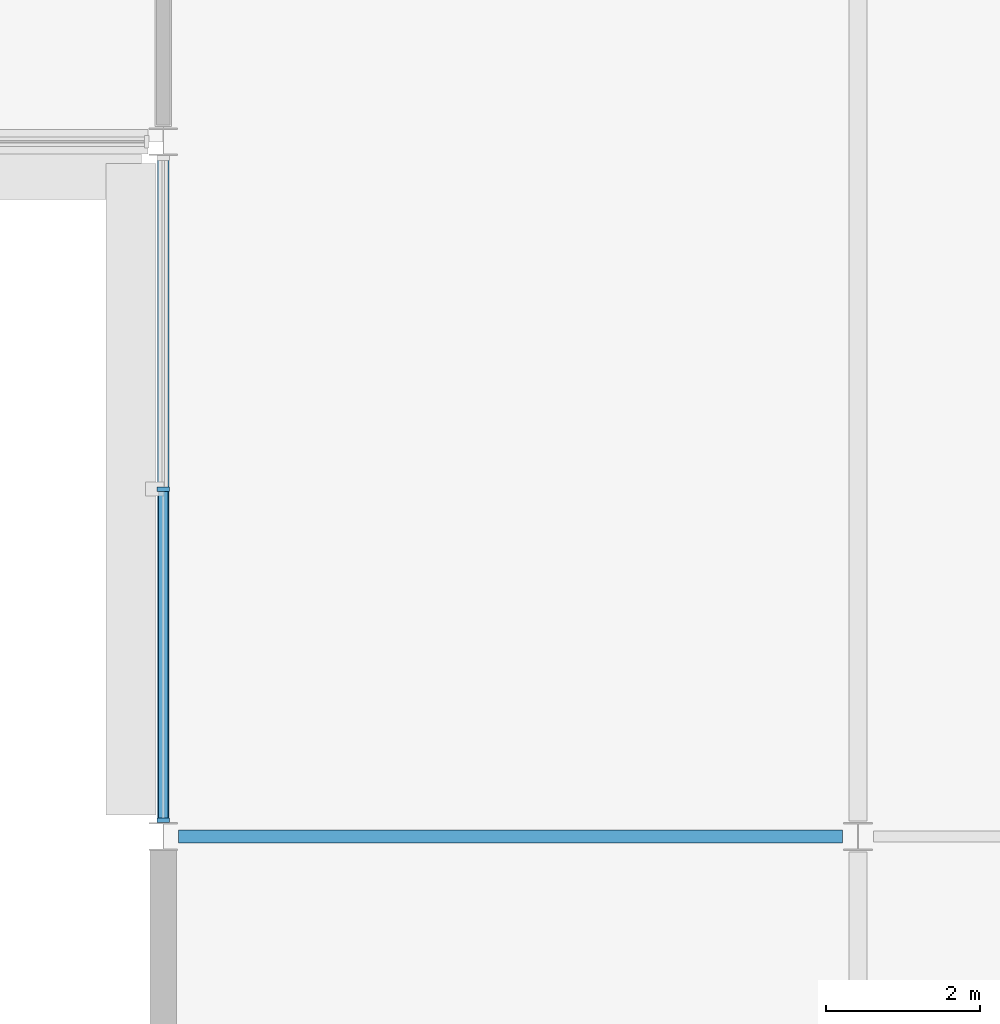
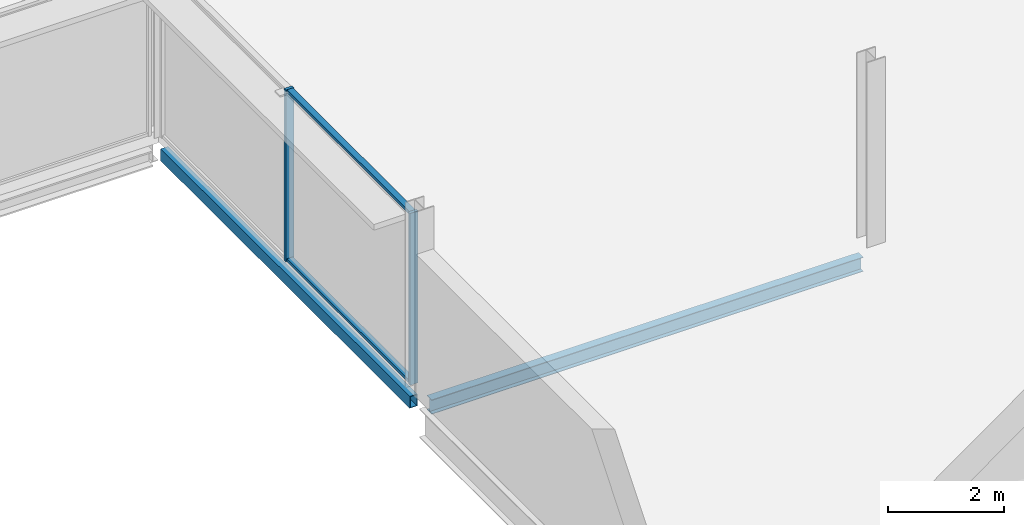
# One storey, part 47 of 98: 4 members, 2 beams, 1 element without a shape of its own.
"""IFC4 building model written with IfcOpenShell, lengths in metres."""

from ifc_helpers import new_model, si_unit, direction, frame, origin, origin_2d, place, context, subcontext, project, spatial, rectangle, hollow_rectangle, i_section, extrude, material, layer, layer_set, material_profile, profile_set, type_object, element, aggregate, save


model = new_model("IFC4")

# Units and contexts
model_context = context("Model", 3, precision=1e-05, world=origin(), true_north=direction((0.0, 1.0)))
body_context = subcontext(model_context, "Body", "Model", "MODEL_VIEW")
ifc_project = project(units=[si_unit("LENGTHUNIT", "METRE"), si_unit("AREAUNIT", "SQUARE_METRE"), si_unit("VOLUMEUNIT", "CUBIC_METRE"), si_unit("PLANEANGLEUNIT", "RADIAN"), si_unit("MASSUNIT", "GRAM", prefix="KILO")], contexts=[model_context])

# Site, building, storey
site_placement = place(None, origin())
site = spatial("IfcSite", under=ifc_project, at=site_placement, CompositionType="ELEMENT")
building_placement = place(site_placement, origin())
building = spatial("IfcBuilding", under=site, at=building_placement, Name="Kisiwana Market Hall", CompositionType="ELEMENT")
storey_placement = place(building_placement, frame((0.0, 0.0, 29.39990234375)))
storey = spatial("IfcBuildingStorey", under=building, at=storey_placement, Name="L06", CompositionType="ELEMENT", Elevation=29.39990234375)

# Beams
ifc_material_1 = material(Name="Steel S355", Category="steel")
ifc_material_profile_1 = material_profile(ifc_material_1, i_section(OverallWidth=0.1650390625, OverallDepth=0.303466796875, WebThickness=0.006103515625, FlangeThickness=0.01025390625, at=origin_2d()), Name="UB 305x165x40")
ifc_profile_set_1 = profile_set([ifc_material_profile_1], Name="Steel S355")
beam_type_1 = type_object("IfcBeamType", Name="BM-JOIST-UB040", PredefinedType="JOIST", material=ifc_profile_set_1)
beam_1_placement = place(storey_placement, frame((153.19921875, 84.0, -0.396484375), z_axis=(1.0, 0.0, 0.0), x_axis=(0.0, 1.0, 0.0)))
element("IfcBeam", 1, at=beam_1_placement, inside=storey, type_object=beam_type_1, Name="Floor beam B-1817", PredefinedType="JOIST", context=body_context, shape_type="SweptSolid", body=[
    extrude(i_section(OverallWidth=0.1650390625, OverallDepth=0.303466796875, WebThickness=0.006103515625, FlangeThickness=0.01025390625, at=origin_2d()), origin(), (0.0, 0.0, 1.0), 8.6015625),
])
ifc_material_2 = material(Name="Steel S355", Category="steel")
ifc_material_profile_2 = material_profile(ifc_material_2, hollow_rectangle(XDim=0.14990234375, YDim=0.25, WallThickness=0.010009765625, at=origin_2d()), Name="RHS 250x150x10.0")
ifc_profile_set_2 = profile_set([ifc_material_profile_2], Name="Steel S355")
beam_type_2 = type_object("IfcBeamType", Name="BM-SPAN-RHS250", PredefinedType="SPANDREL", material=ifc_profile_set_2)
beam_2_placement = place(storey_placement, frame((153.0, 84.19921875, -0.369873046875), z_axis=(0.0, 1.0, 0.0), x_axis=(-1.0, 0.0, 0.0)))
element("IfcBeam", 2, at=beam_2_placement, inside=storey, type_object=beam_type_2, Name="Floor beam B-1867", PredefinedType="SPANDREL", context=body_context, shape_type="SweptSolid", body=[
    extrude(hollow_rectangle(XDim=0.14990234375, YDim=0.25, WallThickness=0.010009765625, at=origin_2d()), origin(), (0.0, 0.0, 1.0), 8.6015625),
])

# Curtain wall, members
ifc_material_3 = material(Name="Double-glazed solar-control low-E IGU", Category="glass")
ifc_layer = layer(ifc_material_3, 0.159912109375)
ifc_layer_set = layer_set([ifc_layer], Name="CW-ZNA-EW-8200")
curtain_wall_type = type_object("IfcCurtainWallType", Name="CW-ZNA-EW-8200", PredefinedType="USERDEFINED", material=ifc_layer_set)
curtain_wall_placement = place(storey_placement, origin())
curtain_wall = element("IfcCurtainWall", 3, at=curtain_wall_placement, inside=storey, type_object=curtain_wall_type, Name="Unitised curtain wall CW-206 (L06)", ObjectType="UNITISED CURTAIN WALL", PredefinedType="USERDEFINED")
ifc_material_4 = material(Name="Aluminium alloy 6063-T6", Category="aluminium")
ifc_material_profile_3 = material_profile(ifc_material_4, rectangle(XDim=0.06005859375, YDim=0.159912109375, at=origin_2d()), Name="ALU MULLION 60x160")
ifc_profile_set_3 = profile_set([ifc_material_profile_3], Name="Aluminium alloy 6063-T6")
member_type_1 = type_object("IfcMemberType", Name="CW-MULL-60x160", PredefinedType="MULLION", material=ifc_profile_set_3)
member_1_placement = place(storey_placement, frame((153.0, 84.2109375, 0.0), z_axis=(0.0, 0.0, 1.0), x_axis=(0.0, 1.0, 0.0)))
member_1 = element("IfcMember", 4, at=member_1_placement, type_object=member_type_1, Name="CW-206 mullion 1", PredefinedType="MULLION", context=body_context, shape_type="SweptSolid", body=[
    extrude(rectangle(XDim=0.06005859375, YDim=0.159912109375, at=origin_2d()), origin(), (0.0, 0.0, 1.0), 3.6201171875),
])
member_2_placement = place(storey_placement, frame((153.0, 88.5, 0.0), z_axis=(0.0, 0.0, 1.0), x_axis=(0.0, 1.0, 0.0)))
member_2 = element("IfcMember", 5, at=member_2_placement, type_object=member_type_1, Name="CW-206 mullion 2", PredefinedType="MULLION", context=body_context, shape_type="SweptSolid", body=[
    extrude(rectangle(XDim=0.06005859375, YDim=0.159912109375, at=origin_2d()), origin(), (0.0, 0.0, 1.0), 3.6201171875),
])
ifc_material_5 = material(Name="Aluminium alloy 6063-T6", Category="aluminium")
ifc_material_profile_4 = material_profile(ifc_material_5, rectangle(XDim=0.1201171875, YDim=0.06005859375, at=origin_2d()), Name="ALU TRANSOM 60x120")
ifc_profile_set_4 = profile_set([ifc_material_profile_4], Name="Aluminium alloy 6063-T6")
member_type_2 = type_object("IfcMemberType", Name="CW-TRAN-60x120", PredefinedType="USERDEFINED", material=ifc_profile_set_4)
member_3_placement = place(storey_placement, frame((153.0, 84.240966796875, 0.030029296875), z_axis=(0.0, 1.0, 0.0), x_axis=(-1.0, 0.0, 0.0)))
member_3 = element("IfcMember", 6, at=member_3_placement, type_object=member_type_2, Name="CW-206 transom 1.1", ObjectType="TRANSOM", PredefinedType="USERDEFINED", context=body_context, shape_type="SweptSolid", body=[
    extrude(rectangle(XDim=0.1201171875, YDim=0.06005859375, at=origin_2d()), origin(), (0.0, 0.0, 1.0), 4.22900390625),
])
member_4_placement = place(storey_placement, frame((153.0, 84.240966796875, 3.590087890625), z_axis=(0.0, 1.0, 0.0), x_axis=(-1.0, 0.0, 0.0)))
member_4 = element("IfcMember", 7, at=member_4_placement, type_object=member_type_2, Name="CW-206 transom 1.2", ObjectType="TRANSOM", PredefinedType="USERDEFINED", context=body_context, shape_type="SweptSolid", body=[
    extrude(rectangle(XDim=0.1201171875, YDim=0.06005859375, at=origin_2d()), origin(), (0.0, 0.0, 1.0), 4.22900390625),
])
aggregate(curtain_wall, [member_1, member_2, member_3, member_4])

save(model, "model.ifc")
